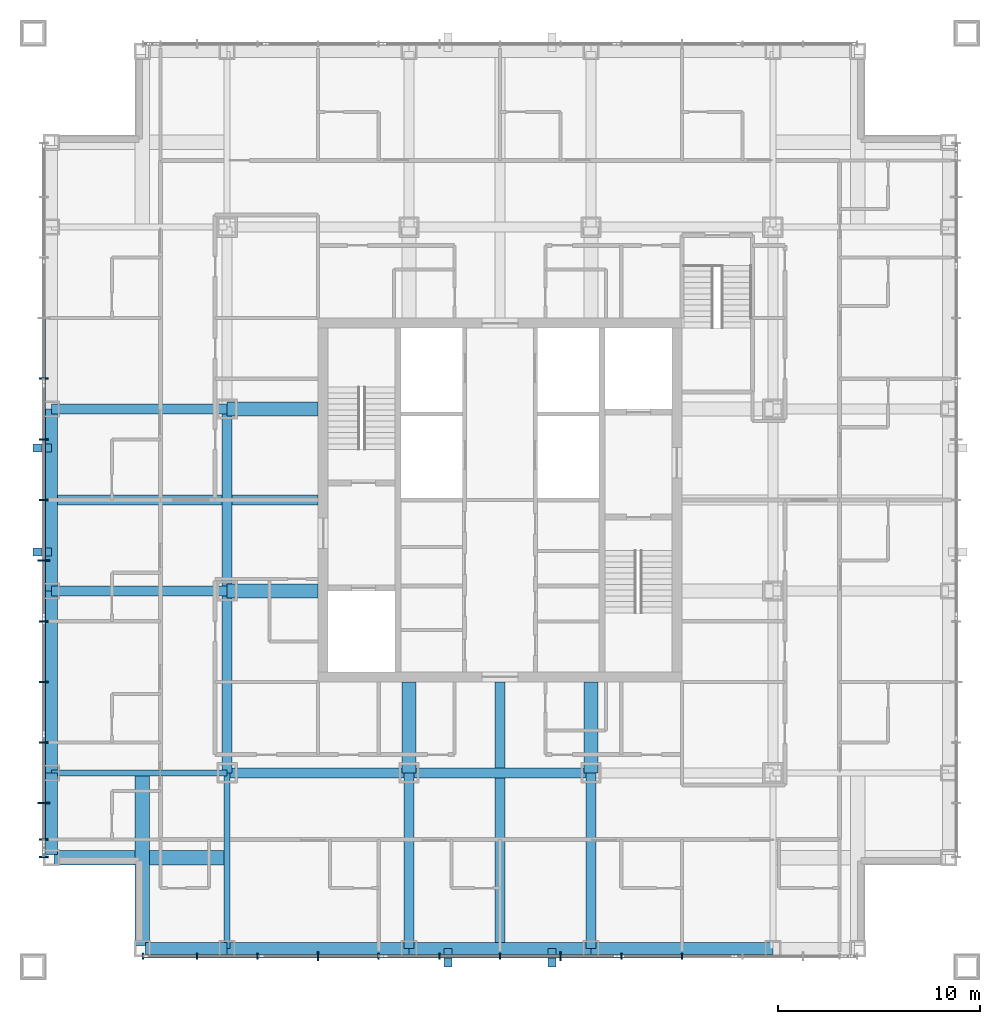
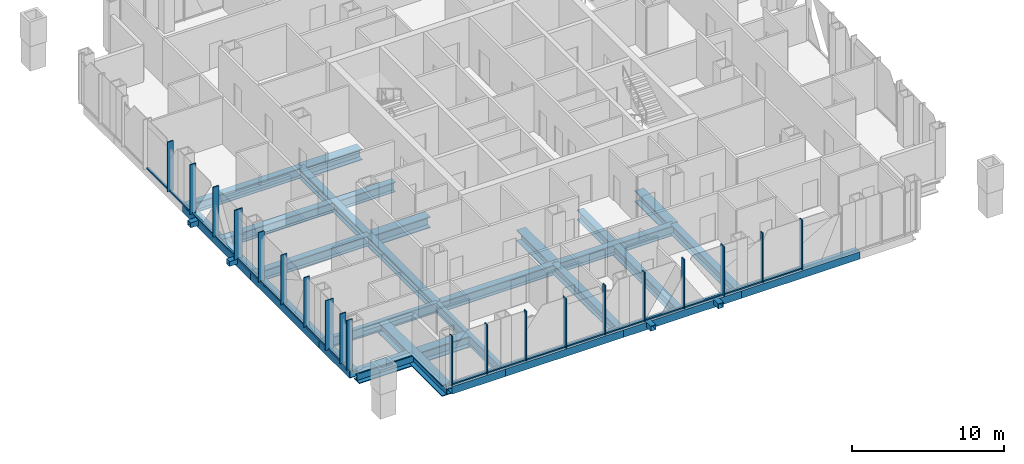
# One storey, part 2 of 25: 42 members, 25 beams, 2 elements without a shape of their own.
"""IFC4 building model written with IfcOpenShell, lengths in metres."""

from ifc_helpers import new_model, si_unit, direction, frame, origin, origin_2d, place, context, subcontext, project, spatial, rectangle, hollow_rectangle, i_section, extrude, material, layer, layer_set, material_profile, profile_set, type_object, element, aggregate, save


model = new_model("IFC4")

# Units and contexts
model_context = context("Model", 3, precision=1e-05, world=origin(), true_north=direction((0.0, 1.0)))
body_context = subcontext(model_context, "Body", "Model", "MODEL_VIEW")
ifc_project = project(units=[si_unit("LENGTHUNIT", "METRE"), si_unit("AREAUNIT", "SQUARE_METRE"), si_unit("VOLUMEUNIT", "CUBIC_METRE"), si_unit("PLANEANGLEUNIT", "RADIAN"), si_unit("MASSUNIT", "GRAM", prefix="KILO")], contexts=[model_context])

# Site, building, storey
site_placement = place(None, origin())
site = spatial("IfcSite", under=ifc_project, at=site_placement, CompositionType="ELEMENT")
building_placement = place(site_placement, origin())
building = spatial("IfcBuilding", under=site, at=building_placement, Name="Malebo Sky Hospital", CompositionType="ELEMENT")
storey_placement = place(building_placement, frame((0.0, 0.0, 241.0)))
storey = spatial("IfcBuildingStorey", under=building, at=storey_placement, Name="L58", CompositionType="ELEMENT", Elevation=241.0)

# Curtain wall, members
ifc_material_1 = material(Name="Anodised aluminium, natural silver", Category="aluminium")
ifc_layer_1 = layer(ifc_material_1, 0.25)
ifc_layer_set_1 = layer_set([ifc_layer_1], Name="WARD CURTAIN WALL EAST AND WEST")
curtain_wall_type_1 = type_object("IfcCurtainWallType", Name="WARD CURTAIN WALL EAST AND WEST", PredefinedType="NOTDEFINED", material=ifc_layer_set_1)
curtain_wall_1_placement = place(storey_placement, origin())
curtain_wall_1 = element("IfcCurtainWall", 1, at=curtain_wall_1_placement, inside=storey, type_object=curtain_wall_type_1, Name="EW curtain wall W", PredefinedType="NOTDEFINED")
ifc_material_profile_1 = material_profile(ifc_material_1, rectangle(XDim=0.14990234375, YDim=0.10009765625, at=origin_2d()), Name="ALUMINIUM TRANSOM 150x100")
ifc_profile_set_1 = profile_set([ifc_material_profile_1], Name="Anodised aluminium, natural silver")
member_type_1 = type_object("IfcMemberType", Name="ALUMINIUM TRANSOM 150x100", PredefinedType="USERDEFINED", material=ifc_profile_set_1)
member_1_placement = place(storey_placement, frame((37.425048828125, 45.237548828125, 0.050048828125), z_axis=(0.0, 1.0, 0.0), x_axis=(-1.0, 0.0, 0.0)))
member_1 = element("IfcMember", 2, at=member_1_placement, type_object=member_type_1, Name="Transom 2", ObjectType="TRANSOM", PredefinedType="USERDEFINED", context=body_context, shape_type="SweptSolid", body=[
    extrude(rectangle(XDim=0.14990234375, YDim=0.10009765625, at=origin_2d()), origin(), (0.0, 0.0, 1.0), 1.724853515625),
])
member_2_placement = place(storey_placement, frame((37.425048828125, 47.03759765625, 0.050048828125), z_axis=(0.0, 1.0, 0.0), x_axis=(-1.0, 0.0, 0.0)))
member_2 = element("IfcMember", 3, at=member_2_placement, type_object=member_type_1, Name="Transom 3", ObjectType="TRANSOM", PredefinedType="USERDEFINED", context=body_context, shape_type="SweptSolid", body=[
    extrude(rectangle(XDim=0.14990234375, YDim=0.10009765625, at=origin_2d()), origin(), (0.0, 0.0, 1.0), 2.9248046875),
])
member_3_placement = place(storey_placement, frame((37.425048828125, 50.03759765625, 0.050048828125), z_axis=(0.0, 1.0, 0.0), x_axis=(-1.0, 0.0, 0.0)))
member_3 = element("IfcMember", 4, at=member_3_placement, type_object=member_type_1, Name="Transom 4", ObjectType="TRANSOM", PredefinedType="USERDEFINED", context=body_context, shape_type="SweptSolid", body=[
    extrude(rectangle(XDim=0.14990234375, YDim=0.10009765625, at=origin_2d()), origin(), (0.0, 0.0, 1.0), 2.9248046875),
])
member_4_placement = place(storey_placement, frame((37.425048828125, 53.03759765625, 0.050048828125), z_axis=(0.0, 1.0, 0.0), x_axis=(-1.0, 0.0, 0.0)))
member_4 = element("IfcMember", 5, at=member_4_placement, type_object=member_type_1, Name="Transom 5", ObjectType="TRANSOM", PredefinedType="USERDEFINED", context=body_context, shape_type="SweptSolid", body=[
    extrude(rectangle(XDim=0.14990234375, YDim=0.10009765625, at=origin_2d()), origin(), (0.0, 0.0, 1.0), 2.9248046875),
])
member_5_placement = place(storey_placement, frame((37.425048828125, 56.03759765625, 0.050048828125), z_axis=(0.0, 1.0, 0.0), x_axis=(-1.0, 0.0, 0.0)))
member_5 = element("IfcMember", 6, at=member_5_placement, type_object=member_type_1, Name="Transom 6", ObjectType="TRANSOM", PredefinedType="USERDEFINED", context=body_context, shape_type="SweptSolid", body=[
    extrude(rectangle(XDim=0.14990234375, YDim=0.10009765625, at=origin_2d()), origin(), (0.0, 0.0, 1.0), 2.9248046875),
])
member_6_placement = place(storey_placement, frame((37.425048828125, 59.03759765625, 0.050048828125), z_axis=(0.0, 1.0, 0.0), x_axis=(-1.0, 0.0, 0.0)))
member_6 = element("IfcMember", 7, at=member_6_placement, type_object=member_type_1, Name="Transom 7", ObjectType="TRANSOM", PredefinedType="USERDEFINED", context=body_context, shape_type="SweptSolid", body=[
    extrude(rectangle(XDim=0.14990234375, YDim=0.10009765625, at=origin_2d()), origin(), (0.0, 0.0, 1.0), 2.9248046875),
])
member_7_placement = place(storey_placement, frame((37.425048828125, 62.03759765625, 0.050048828125), z_axis=(0.0, 1.0, 0.0), x_axis=(-1.0, 0.0, 0.0)))
member_7 = element("IfcMember", 8, at=member_7_placement, type_object=member_type_1, Name="Transom 8", ObjectType="TRANSOM", PredefinedType="USERDEFINED", context=body_context, shape_type="SweptSolid", body=[
    extrude(rectangle(XDim=0.14990234375, YDim=0.10009765625, at=origin_2d()), origin(), (0.0, 0.0, 1.0), 2.9248046875),
])
member_8_placement = place(storey_placement, frame((37.425048828125, 65.03759765625, 0.050048828125), z_axis=(0.0, 1.0, 0.0), x_axis=(-1.0, 0.0, 0.0)))
member_8 = element("IfcMember", 9, at=member_8_placement, type_object=member_type_1, Name="Transom 9", ObjectType="TRANSOM", PredefinedType="USERDEFINED", context=body_context, shape_type="SweptSolid", body=[
    extrude(rectangle(XDim=0.14990234375, YDim=0.10009765625, at=origin_2d()), origin(), (0.0, 0.0, 1.0), 2.9248046875),
])
member_9_placement = place(storey_placement, frame((37.425048828125, 68.03759765625, 0.050048828125), z_axis=(0.0, 1.0, 0.0), x_axis=(-1.0, 0.0, 0.0)))
member_9 = element("IfcMember", 10, at=member_9_placement, type_object=member_type_1, Name="Transom 10", ObjectType="TRANSOM", PredefinedType="USERDEFINED", context=body_context, shape_type="SweptSolid", body=[
    extrude(rectangle(XDim=0.14990234375, YDim=0.10009765625, at=origin_2d()), origin(), (0.0, 0.0, 1.0), 2.9248046875),
])

ifc_layer_2 = layer(ifc_material_1, 0.25)
ifc_layer_set_2 = layer_set([ifc_layer_2], Name="WARD CURTAIN WALL NORTH AND SOUTH")
curtain_wall_type_2 = type_object("IfcCurtainWallType", Name="WARD CURTAIN WALL NORTH AND SOUTH", PredefinedType="NOTDEFINED", material=ifc_layer_set_2)
curtain_wall_2_placement = place(storey_placement, origin())
curtain_wall_2 = element("IfcCurtainWall", 11, at=curtain_wall_2_placement, inside=storey, type_object=curtain_wall_type_2, Name="NS curtain wall S", PredefinedType="NOTDEFINED")
member_10_placement = place(storey_placement, frame((68.96240234375, 39.425048828125, 0.050048828125), z_axis=(-1.0, 0.0, 0.0), x_axis=(0.0, -1.0, 0.0)))
member_10 = element("IfcMember", 12, at=member_10_placement, type_object=member_type_1, Name="Transom 5", ObjectType="TRANSOM", PredefinedType="USERDEFINED", context=body_context, shape_type="SweptSolid", body=[
    extrude(rectangle(XDim=0.14990234375, YDim=0.10009765625, at=origin_2d()), origin(), (0.0, 0.0, 1.0), 2.9248046875),
])
member_11_placement = place(storey_placement, frame((65.96240234375, 39.425048828125, 0.050048828125), z_axis=(-1.0, 0.0, 0.0), x_axis=(0.0, -1.0, 0.0)))
member_11 = element("IfcMember", 13, at=member_11_placement, type_object=member_type_1, Name="Transom 6", ObjectType="TRANSOM", PredefinedType="USERDEFINED", context=body_context, shape_type="SweptSolid", body=[
    extrude(rectangle(XDim=0.14990234375, YDim=0.10009765625, at=origin_2d()), origin(), (0.0, 0.0, 1.0), 2.9248046875),
])
member_12_placement = place(storey_placement, frame((62.96240234375, 39.425048828125, 0.050048828125), z_axis=(-1.0, 0.0, 0.0), x_axis=(0.0, -1.0, 0.0)))
member_12 = element("IfcMember", 14, at=member_12_placement, type_object=member_type_1, Name="Transom 7", ObjectType="TRANSOM", PredefinedType="USERDEFINED", context=body_context, shape_type="SweptSolid", body=[
    extrude(rectangle(XDim=0.14990234375, YDim=0.10009765625, at=origin_2d()), origin(), (0.0, 0.0, 1.0), 2.9248046875),
])
member_13_placement = place(storey_placement, frame((59.96240234375, 39.425048828125, 0.050048828125), z_axis=(-1.0, 0.0, 0.0), x_axis=(0.0, -1.0, 0.0)))
member_13 = element("IfcMember", 15, at=member_13_placement, type_object=member_type_1, Name="Transom 8", ObjectType="TRANSOM", PredefinedType="USERDEFINED", context=body_context, shape_type="SweptSolid", body=[
    extrude(rectangle(XDim=0.14990234375, YDim=0.10009765625, at=origin_2d()), origin(), (0.0, 0.0, 1.0), 2.9248046875),
])
member_14_placement = place(storey_placement, frame((56.96240234375, 39.425048828125, 0.050048828125), z_axis=(-1.0, 0.0, 0.0), x_axis=(0.0, -1.0, 0.0)))
member_14 = element("IfcMember", 16, at=member_14_placement, type_object=member_type_1, Name="Transom 9", ObjectType="TRANSOM", PredefinedType="USERDEFINED", context=body_context, shape_type="SweptSolid", body=[
    extrude(rectangle(XDim=0.14990234375, YDim=0.10009765625, at=origin_2d()), origin(), (0.0, 0.0, 1.0), 2.9248046875),
])
member_15_placement = place(storey_placement, frame((53.96240234375, 39.425048828125, 0.050048828125), z_axis=(-1.0, 0.0, 0.0), x_axis=(0.0, -1.0, 0.0)))
member_15 = element("IfcMember", 17, at=member_15_placement, type_object=member_type_1, Name="Transom 10", ObjectType="TRANSOM", PredefinedType="USERDEFINED", context=body_context, shape_type="SweptSolid", body=[
    extrude(rectangle(XDim=0.14990234375, YDim=0.10009765625, at=origin_2d()), origin(), (0.0, 0.0, 1.0), 2.9248046875),
])
member_16_placement = place(storey_placement, frame((50.96240234375, 39.425048828125, 0.050048828125), z_axis=(-1.0, 0.0, 0.0), x_axis=(0.0, -1.0, 0.0)))
member_16 = element("IfcMember", 18, at=member_16_placement, type_object=member_type_1, Name="Transom 11", ObjectType="TRANSOM", PredefinedType="USERDEFINED", context=body_context, shape_type="SweptSolid", body=[
    extrude(rectangle(XDim=0.14990234375, YDim=0.10009765625, at=origin_2d()), origin(), (0.0, 0.0, 1.0), 2.9248046875),
])
member_17_placement = place(storey_placement, frame((47.96240234375, 39.425048828125, 0.050048828125), z_axis=(-1.0, 0.0, 0.0), x_axis=(0.0, -1.0, 0.0)))
member_17 = element("IfcMember", 19, at=member_17_placement, type_object=member_type_1, Name="Transom 12", ObjectType="TRANSOM", PredefinedType="USERDEFINED", context=body_context, shape_type="SweptSolid", body=[
    extrude(rectangle(XDim=0.14990234375, YDim=0.10009765625, at=origin_2d()), origin(), (0.0, 0.0, 1.0), 2.9248046875),
])
member_18_placement = place(storey_placement, frame((44.96240234375, 39.425048828125, 0.050048828125), z_axis=(-1.0, 0.0, 0.0), x_axis=(0.0, -1.0, 0.0)))
member_18 = element("IfcMember", 20, at=member_18_placement, type_object=member_type_1, Name="Transom 13", ObjectType="TRANSOM", PredefinedType="USERDEFINED", context=body_context, shape_type="SweptSolid", body=[
    extrude(rectangle(XDim=0.14990234375, YDim=0.10009765625, at=origin_2d()), origin(), (0.0, 0.0, 1.0), 2.58740234375),
])

# Members
ifc_material_2 = material(Name="Steel S355", Category="steel")
ifc_material_profile_2 = material_profile(ifc_material_2, hollow_rectangle(XDim=0.39990234375, YDim=0.39990234375, WallThickness=0.02001953125, at=origin_2d()), Name="SHS 400x20")
ifc_profile_set_2 = profile_set([ifc_material_profile_2], Name="Steel S355")
member_type_2 = type_object("IfcMemberType", Name="BRACE STRUT SHS 400x20", PredefinedType="STRUT", material=ifc_profile_set_2)
for number, where, z_axis, x_axis, name in (
    (21, (57.433349609375, 38.89990234375, -0.39990234375), (0.0, 1.0, 0.0), (-1.0, 0.0, 0.0), "Brace strut CS1 L58"),
    (22, (62.566650390625, 38.89990234375, -0.39990234375), (0.0, 1.0, 0.0), (-1.0, 0.0, 0.0), "Brace strut CS2 L58"),
    (23, (36.89990234375, 64.566650390625, -0.39990234375), (1.0, 0.0, 0.0), (0.0, 1.0, 0.0), "Brace strut CW1 L58"),
    (24, (36.89990234375, 59.433349609375, -0.39990234375), (1.0, 0.0, 0.0), (0.0, 1.0, 0.0), "Brace strut CW2 L58"),
):
    element("IfcMember", number, at=place(storey_placement, frame(where, z_axis=z_axis, x_axis=x_axis)), inside=storey, type_object=member_type_2, Name=name, PredefinedType="STRUT", context=body_context, shape_type="SweptSolid", body=[
        extrude(hollow_rectangle(XDim=0.39990234375, YDim=0.39990234375, WallThickness=0.02001953125, at=origin_2d()), origin(), (0.0, 0.0, 1.0), 0.900146484375),
    ])

# Member
ifc_material_profile_3 = material_profile(ifc_material_1, rectangle(XDim=0.074951171875, YDim=0.300048828125, at=origin_2d()), Name="CW1 ALUMINIUM FIN MULLION 75x300")
ifc_profile_set_3 = profile_set([ifc_material_profile_3], Name="Anodised aluminium, natural silver")
member_type_3 = type_object("IfcMemberType", Name="CW1 ALUMINIUM FIN MULLION 75x300", PredefinedType="MULLION", material=ifc_profile_set_3)
member_19_placement = place(storey_placement, frame((69.0, 39.425048828125, 0.0), z_axis=(0.0, 0.0, 1.0), x_axis=(-1.0, 0.0, 0.0)))
member_19 = element("IfcMember", 25, at=member_19_placement, type_object=member_type_3, Name="Fin mullion 5", PredefinedType="MULLION", context=body_context, shape_type="SweptSolid", body=[
    extrude(rectangle(XDim=0.074951171875, YDim=0.300048828125, at=origin_2d()), origin(), (0.0, 0.0, 1.0), 4.0),
])

member_20_placement = place(storey_placement, frame((66.0, 39.425048828125, 0.0), z_axis=(0.0, 0.0, 1.0), x_axis=(-1.0, 0.0, 0.0)))
member_20 = element("IfcMember", 26, at=member_20_placement, type_object=member_type_3, Name="Fin mullion 6", PredefinedType="MULLION", context=body_context, shape_type="SweptSolid", body=[
    extrude(rectangle(XDim=0.074951171875, YDim=0.300048828125, at=origin_2d()), origin(), (0.0, 0.0, 1.0), 4.0),
])

member_21_placement = place(storey_placement, frame((60.0, 39.425048828125, 0.0), z_axis=(0.0, 0.0, 1.0), x_axis=(-1.0, 0.0, 0.0)))
member_21 = element("IfcMember", 27, at=member_21_placement, type_object=member_type_3, Name="Fin mullion 8", PredefinedType="MULLION", context=body_context, shape_type="SweptSolid", body=[
    extrude(rectangle(XDim=0.074951171875, YDim=0.300048828125, at=origin_2d()), origin(), (0.0, 0.0, 1.0), 4.0),
])

member_22_placement = place(storey_placement, frame((57.0, 39.425048828125, 0.0), z_axis=(0.0, 0.0, 1.0), x_axis=(-1.0, 0.0, 0.0)))
member_22 = element("IfcMember", 28, at=member_22_placement, type_object=member_type_3, Name="Fin mullion 9", PredefinedType="MULLION", context=body_context, shape_type="SweptSolid", body=[
    extrude(rectangle(XDim=0.074951171875, YDim=0.300048828125, at=origin_2d()), origin(), (0.0, 0.0, 1.0), 4.0),
])

member_23_placement = place(storey_placement, frame((54.0, 39.425048828125, 0.0), z_axis=(0.0, 0.0, 1.0), x_axis=(-1.0, 0.0, 0.0)))
member_23 = element("IfcMember", 29, at=member_23_placement, type_object=member_type_3, Name="Fin mullion 10", PredefinedType="MULLION", context=body_context, shape_type="SweptSolid", body=[
    extrude(rectangle(XDim=0.074951171875, YDim=0.300048828125, at=origin_2d()), origin(), (0.0, 0.0, 1.0), 4.0),
])

member_24_placement = place(storey_placement, frame((48.0, 39.425048828125, 0.0), z_axis=(0.0, 0.0, 1.0), x_axis=(-1.0, 0.0, 0.0)))
member_24 = element("IfcMember", 30, at=member_24_placement, type_object=member_type_3, Name="Fin mullion 12", PredefinedType="MULLION", context=body_context, shape_type="SweptSolid", body=[
    extrude(rectangle(XDim=0.074951171875, YDim=0.300048828125, at=origin_2d()), origin(), (0.0, 0.0, 1.0), 4.0),
])

member_25_placement = place(storey_placement, frame((45.0, 39.425048828125, 0.0), z_axis=(0.0, 0.0, 1.0), x_axis=(-1.0, 0.0, 0.0)))
member_25 = element("IfcMember", 31, at=member_25_placement, type_object=member_type_3, Name="Fin mullion 13", PredefinedType="MULLION", context=body_context, shape_type="SweptSolid", body=[
    extrude(rectangle(XDim=0.074951171875, YDim=0.300048828125, at=origin_2d()), origin(), (0.0, 0.0, 1.0), 4.0),
])

member_26_placement = place(storey_placement, frame((42.33740234375, 39.425048828125, 0.0), z_axis=(0.0, 0.0, 1.0), x_axis=(-1.0, 0.0, 0.0)))
member_26 = element("IfcMember", 32, at=member_26_placement, type_object=member_type_3, Name="Fin mullion 14", PredefinedType="MULLION", context=body_context, shape_type="SweptSolid", body=[
    extrude(rectangle(XDim=0.074951171875, YDim=0.300048828125, at=origin_2d()), origin(), (0.0, 0.0, 1.0), 4.0),
])

ifc_material_profile_4 = material_profile(ifc_material_1, rectangle(XDim=0.074951171875, YDim=0.449951171875, at=origin_2d()), Name="CW1 ALUMINIUM FIN MULLION 75x450")
ifc_profile_set_4 = profile_set([ifc_material_profile_4], Name="Anodised aluminium, natural silver")
member_type_4 = type_object("IfcMemberType", Name="CW1 ALUMINIUM FIN MULLION 75x450", PredefinedType="MULLION", material=ifc_profile_set_4)
member_27_placement = place(storey_placement, frame((63.0, 39.425048828125, 0.0), z_axis=(0.0, 0.0, 1.0), x_axis=(-1.0, 0.0, 0.0)))
member_27 = element("IfcMember", 33, at=member_27_placement, type_object=member_type_4, Name="Fin mullion 7", PredefinedType="MULLION", context=body_context, shape_type="SweptSolid", body=[
    extrude(rectangle(XDim=0.074951171875, YDim=0.449951171875, at=origin_2d()), origin(), (0.0, 0.0, 1.0), 4.0),
])

member_28_placement = place(storey_placement, frame((51.0, 39.425048828125, 0.0), z_axis=(0.0, 0.0, 1.0), x_axis=(-1.0, 0.0, 0.0)))
member_28 = element("IfcMember", 34, at=member_28_placement, type_object=member_type_4, Name="Fin mullion 11", PredefinedType="MULLION", context=body_context, shape_type="SweptSolid", body=[
    extrude(rectangle(XDim=0.074951171875, YDim=0.449951171875, at=origin_2d()), origin(), (0.0, 0.0, 1.0), 4.0),
])

aggregate(curtain_wall_2, [member_19, member_20, member_27, member_21, member_22, member_23, member_28, member_24, member_25, member_26, member_10, member_11, member_12, member_13, member_14, member_15, member_16, member_17, member_18])

ifc_material_profile_5 = material_profile(ifc_material_1, rectangle(XDim=0.074951171875, YDim=0.449951171875, at=origin_2d()), Name="CW2 ALUMINIUM FIN MULLION 75x450")
ifc_profile_set_5 = profile_set([ifc_material_profile_5], Name="Anodised aluminium, natural silver")
member_type_5 = type_object("IfcMemberType", Name="CW2 ALUMINIUM FIN MULLION 75x450", PredefinedType="MULLION", material=ifc_profile_set_5)
member_29_placement = place(storey_placement, frame((37.425048828125, 44.33740234375, 0.0), z_axis=(0.0, 0.0, 1.0), x_axis=(0.0, 1.0, 0.0)))
member_29 = element("IfcMember", 35, at=member_29_placement, type_object=member_type_5, Name="Fin mullion 1", PredefinedType="MULLION", context=body_context, shape_type="SweptSolid", body=[
    extrude(rectangle(XDim=0.074951171875, YDim=0.449951171875, at=origin_2d()), origin(), (0.0, 0.0, 1.0), 4.0),
])

member_30_placement = place(storey_placement, frame((37.425048828125, 45.199951171875, 0.0), z_axis=(0.0, 0.0, 1.0), x_axis=(0.0, 1.0, 0.0)))
member_30 = element("IfcMember", 36, at=member_30_placement, type_object=member_type_5, Name="Fin mullion 2", PredefinedType="MULLION", context=body_context, shape_type="SweptSolid", body=[
    extrude(rectangle(XDim=0.074951171875, YDim=0.449951171875, at=origin_2d()), origin(), (0.0, 0.0, 1.0), 4.0),
])

member_31_placement = place(storey_placement, frame((37.425048828125, 50.0, 0.0), z_axis=(0.0, 0.0, 1.0), x_axis=(0.0, 1.0, 0.0)))
member_31 = element("IfcMember", 37, at=member_31_placement, type_object=member_type_5, Name="Fin mullion 4", PredefinedType="MULLION", context=body_context, shape_type="SweptSolid", body=[
    extrude(rectangle(XDim=0.074951171875, YDim=0.449951171875, at=origin_2d()), origin(), (0.0, 0.0, 1.0), 4.0),
])

member_32_placement = place(storey_placement, frame((37.425048828125, 53.0, 0.0), z_axis=(0.0, 0.0, 1.0), x_axis=(0.0, 1.0, 0.0)))
member_32 = element("IfcMember", 38, at=member_32_placement, type_object=member_type_5, Name="Fin mullion 5", PredefinedType="MULLION", context=body_context, shape_type="SweptSolid", body=[
    extrude(rectangle(XDim=0.074951171875, YDim=0.449951171875, at=origin_2d()), origin(), (0.0, 0.0, 1.0), 4.0),
])

member_33_placement = place(storey_placement, frame((37.425048828125, 56.0, 0.0), z_axis=(0.0, 0.0, 1.0), x_axis=(0.0, 1.0, 0.0)))
member_33 = element("IfcMember", 39, at=member_33_placement, type_object=member_type_5, Name="Fin mullion 6", PredefinedType="MULLION", context=body_context, shape_type="SweptSolid", body=[
    extrude(rectangle(XDim=0.074951171875, YDim=0.449951171875, at=origin_2d()), origin(), (0.0, 0.0, 1.0), 4.0),
])

member_34_placement = place(storey_placement, frame((37.425048828125, 62.0, 0.0), z_axis=(0.0, 0.0, 1.0), x_axis=(0.0, 1.0, 0.0)))
member_34 = element("IfcMember", 40, at=member_34_placement, type_object=member_type_5, Name="Fin mullion 8", PredefinedType="MULLION", context=body_context, shape_type="SweptSolid", body=[
    extrude(rectangle(XDim=0.074951171875, YDim=0.449951171875, at=origin_2d()), origin(), (0.0, 0.0, 1.0), 4.0),
])

member_35_placement = place(storey_placement, frame((37.425048828125, 65.0, 0.0), z_axis=(0.0, 0.0, 1.0), x_axis=(0.0, 1.0, 0.0)))
member_35 = element("IfcMember", 41, at=member_35_placement, type_object=member_type_5, Name="Fin mullion 9", PredefinedType="MULLION", context=body_context, shape_type="SweptSolid", body=[
    extrude(rectangle(XDim=0.074951171875, YDim=0.449951171875, at=origin_2d()), origin(), (0.0, 0.0, 1.0), 4.0),
])

member_36_placement = place(storey_placement, frame((37.425048828125, 68.0, 0.0), z_axis=(0.0, 0.0, 1.0), x_axis=(0.0, 1.0, 0.0)))
member_36 = element("IfcMember", 42, at=member_36_placement, type_object=member_type_5, Name="Fin mullion 10", PredefinedType="MULLION", context=body_context, shape_type="SweptSolid", body=[
    extrude(rectangle(XDim=0.074951171875, YDim=0.449951171875, at=origin_2d()), origin(), (0.0, 0.0, 1.0), 4.0),
])

ifc_material_profile_6 = material_profile(ifc_material_1, rectangle(XDim=0.074951171875, YDim=0.60009765625, at=origin_2d()), Name="CW2 ALUMINIUM FIN MULLION 75x600")
ifc_profile_set_6 = profile_set([ifc_material_profile_6], Name="Anodised aluminium, natural silver")
member_type_6 = type_object("IfcMemberType", Name="CW2 ALUMINIUM FIN MULLION 75x600", PredefinedType="MULLION", material=ifc_profile_set_6)
member_37_placement = place(storey_placement, frame((37.425048828125, 47.0, 0.0), z_axis=(0.0, 0.0, 1.0), x_axis=(0.0, 1.0, 0.0)))
member_37 = element("IfcMember", 43, at=member_37_placement, type_object=member_type_6, Name="Fin mullion 3", PredefinedType="MULLION", context=body_context, shape_type="SweptSolid", body=[
    extrude(rectangle(XDim=0.074951171875, YDim=0.60009765625, at=origin_2d()), origin(), (0.0, 0.0, 1.0), 4.0),
])

member_38_placement = place(storey_placement, frame((37.425048828125, 59.0, 0.0), z_axis=(0.0, 0.0, 1.0), x_axis=(0.0, 1.0, 0.0)))
member_38 = element("IfcMember", 44, at=member_38_placement, type_object=member_type_6, Name="Fin mullion 7", PredefinedType="MULLION", context=body_context, shape_type="SweptSolid", body=[
    extrude(rectangle(XDim=0.074951171875, YDim=0.60009765625, at=origin_2d()), origin(), (0.0, 0.0, 1.0), 4.0),
])

aggregate(curtain_wall_1, [member_29, member_30, member_37, member_31, member_32, member_33, member_38, member_34, member_35, member_36, member_1, member_2, member_3, member_4, member_5, member_6, member_7, member_8, member_9])

# Beams
ifc_material_3 = material(Name="Steel S460", Category="steel")
ifc_material_profile_7 = material_profile(ifc_material_3, hollow_rectangle(XDim=0.60009765625, YDim=0.60009765625, WallThickness=0.0400390625, at=origin_2d()), Name="BOX 600x600x40")
ifc_profile_set_7 = profile_set([ifc_material_profile_7], Name="Steel S460")
beam_type_1 = type_object("IfcBeamType", Name="EDGE BEAM BOX 600x600x40", PredefinedType="BEAM", material=ifc_profile_set_7)
beam_1_placement = place(storey_placement, frame((37.800048828125, 44.449951171875, -0.550048828125), z_axis=(0.0, 1.0, 0.0), x_axis=(-1.0, 0.0, 0.0)))
element("IfcBeam", 45, at=beam_1_placement, inside=storey, type_object=beam_type_1, Name="Beam 000 L58", PredefinedType="BEAM", context=body_context, shape_type="SweptSolid", body=[
    extrude(hollow_rectangle(XDim=0.60009765625, YDim=0.60009765625, WallThickness=0.0400390625, at=origin_2d()), origin(), (0.0, 0.0, 1.0), 4.050048828125),
])
for number, where, z_axis, x_axis, name in (
    (46, (37.800048828125, 48.5, -0.550048828125), (0.0, 1.0, 0.0), (-1.0, 0.0, 0.0), "Beam 001 L58"),
    (47, (37.800048828125, 57.5, -0.550048828125), (0.0, 1.0, 0.0), (-1.0, 0.0, 0.0), "Beam 002 L58"),
):
    element("IfcBeam", number, at=place(storey_placement, frame(where, z_axis=z_axis, x_axis=x_axis)), inside=storey, type_object=beam_type_1, Name=name, PredefinedType="BEAM", context=body_context, shape_type="SweptSolid", body=[
        extrude(hollow_rectangle(XDim=0.60009765625, YDim=0.60009765625, WallThickness=0.0400390625, at=origin_2d()), origin(), (0.0, 0.0, 1.0), 9.0),
    ])
beam_2_placement = place(storey_placement, frame((42.449951171875, 39.800048828125, -0.550048828125), z_axis=(1.0, 0.0, 0.0), x_axis=(0.0, 1.0, 0.0)))
element("IfcBeam", 48, at=beam_2_placement, inside=storey, type_object=beam_type_1, Name="Beam 034 L58", PredefinedType="BEAM", context=body_context, shape_type="SweptSolid", body=[
    extrude(hollow_rectangle(XDim=0.60009765625, YDim=0.60009765625, WallThickness=0.0400390625, at=origin_2d()), origin(), (0.0, 0.0, 1.0), 4.050048828125),
])
for number, where, z_axis, x_axis, name in (
    (49, (46.5, 39.800048828125, -0.550048828125), (1.0, 0.0, 0.0), (0.0, 1.0, 0.0), "Beam 035 L58"),
    (50, (55.5, 39.800048828125, -0.550048828125), (1.0, 0.0, 0.0), (0.0, 1.0, 0.0), "Beam 036 L58"),
    (51, (64.5, 39.800048828125, -0.550048828125), (1.0, 0.0, 0.0), (0.0, 1.0, 0.0), "Beam 037 L58"),
):
    element("IfcBeam", number, at=place(storey_placement, frame(where, z_axis=z_axis, x_axis=x_axis)), inside=storey, type_object=beam_type_1, Name=name, PredefinedType="BEAM", context=body_context, shape_type="SweptSolid", body=[
        extrude(hollow_rectangle(XDim=0.60009765625, YDim=0.60009765625, WallThickness=0.0400390625, at=origin_2d()), origin(), (0.0, 0.0, 1.0), 9.0),
    ])
ifc_material_profile_8 = material_profile(ifc_material_2, i_section(OverallWidth=0.5, OverallDepth=0.800048828125, WebThickness=0.030029296875, FlangeThickness=0.050048828125, at=origin_2d()), Name="PG 800x500x30x50")
ifc_profile_set_8 = profile_set([ifc_material_profile_8], Name="Steel S355")
beam_type_2 = type_object("IfcBeamType", Name="FLOOR BEAM PG 800x500x30x50", PredefinedType="BEAM", material=ifc_profile_set_8)
beam_3_placement = place(storey_placement, frame((46.5, 48.5, -0.64990234375), z_axis=(0.0, 1.0, 0.0), x_axis=(-1.0, 0.0, 0.0)))
element("IfcBeam", 52, at=beam_3_placement, inside=storey, type_object=beam_type_2, Name="Beam 008 L58", PredefinedType="BEAM", context=body_context, shape_type="SweptSolid", body=[
    extrude(i_section(OverallWidth=0.5, OverallDepth=0.800048828125, WebThickness=0.030029296875, FlangeThickness=0.050048828125, at=origin_2d()), origin(), (0.0, 0.0, 1.0), 9.0),
])
beam_4_placement = place(storey_placement, frame((55.5, 39.800048828125, -0.64990234375), z_axis=(0.0, 1.0, 0.0), x_axis=(-1.0, 0.0, 0.0)))
element("IfcBeam", 53, at=beam_4_placement, inside=storey, type_object=beam_type_2, Name="Beam 012 L58", PredefinedType="BEAM", context=body_context, shape_type="SweptSolid", body=[
    extrude(i_section(OverallWidth=0.5, OverallDepth=0.800048828125, WebThickness=0.030029296875, FlangeThickness=0.050048828125, at=origin_2d()), origin(), (0.0, 0.0, 1.0), 8.699951171875),
])
beam_5_placement = place(storey_placement, frame((60.0, 39.800048828125, -0.64990234375), z_axis=(0.0, 1.0, 0.0), x_axis=(-1.0, 0.0, 0.0)))
element("IfcBeam", 54, at=beam_5_placement, inside=storey, type_object=beam_type_2, Name="Beam 016 L58", PredefinedType="BEAM", context=body_context, shape_type="SweptSolid", body=[
    extrude(i_section(OverallWidth=0.5, OverallDepth=0.800048828125, WebThickness=0.030029296875, FlangeThickness=0.050048828125, at=origin_2d()), origin(), (0.0, 0.0, 1.0), 13.199951171875),
])
beam_6_placement = place(storey_placement, frame((64.5, 39.800048828125, -0.64990234375), z_axis=(0.0, 1.0, 0.0), x_axis=(-1.0, 0.0, 0.0)))
element("IfcBeam", 55, at=beam_6_placement, inside=storey, type_object=beam_type_2, Name="Beam 018 L58", PredefinedType="BEAM", context=body_context, shape_type="SweptSolid", body=[
    extrude(i_section(OverallWidth=0.5, OverallDepth=0.800048828125, WebThickness=0.030029296875, FlangeThickness=0.050048828125, at=origin_2d()), origin(), (0.0, 0.0, 1.0), 8.699951171875),
])
beam_7_placement = place(storey_placement, frame((46.5, 48.5, -0.64990234375), z_axis=(1.0, 0.0, 0.0), x_axis=(0.0, 1.0, 0.0)))
element("IfcBeam", 56, at=beam_7_placement, inside=storey, type_object=beam_type_2, Name="Beam 042 L58", PredefinedType="BEAM", context=body_context, shape_type="SweptSolid", body=[
    extrude(i_section(OverallWidth=0.5, OverallDepth=0.800048828125, WebThickness=0.030029296875, FlangeThickness=0.050048828125, at=origin_2d()), origin(), (0.0, 0.0, 1.0), 9.0),
])
beam_8_placement = place(storey_placement, frame((37.800048828125, 57.5, -0.64990234375), z_axis=(1.0, 0.0, 0.0), x_axis=(0.0, 1.0, 0.0)))
element("IfcBeam", 57, at=beam_8_placement, inside=storey, type_object=beam_type_2, Name="Beam 046 L58", PredefinedType="BEAM", context=body_context, shape_type="SweptSolid", body=[
    extrude(i_section(OverallWidth=0.5, OverallDepth=0.800048828125, WebThickness=0.030029296875, FlangeThickness=0.050048828125, at=origin_2d()), origin(), (0.0, 0.0, 1.0), 8.699951171875),
])
beam_9_placement = place(storey_placement, frame((37.800048828125, 62.0, -0.64990234375), z_axis=(1.0, 0.0, 0.0), x_axis=(0.0, 1.0, 0.0)))
element("IfcBeam", 58, at=beam_9_placement, inside=storey, type_object=beam_type_2, Name="Beam 050 L58", PredefinedType="BEAM", context=body_context, shape_type="SweptSolid", body=[
    extrude(i_section(OverallWidth=0.5, OverallDepth=0.800048828125, WebThickness=0.030029296875, FlangeThickness=0.050048828125, at=origin_2d()), origin(), (0.0, 0.0, 1.0), 13.199951171875),
])
beam_10_placement = place(storey_placement, frame((37.800048828125, 66.5, -0.64990234375), z_axis=(1.0, 0.0, 0.0), x_axis=(0.0, 1.0, 0.0)))
element("IfcBeam", 59, at=beam_10_placement, inside=storey, type_object=beam_type_2, Name="Beam 052 L58", PredefinedType="BEAM", context=body_context, shape_type="SweptSolid", body=[
    extrude(i_section(OverallWidth=0.5, OverallDepth=0.800048828125, WebThickness=0.030029296875, FlangeThickness=0.050048828125, at=origin_2d()), origin(), (0.0, 0.0, 1.0), 8.699951171875),
])
ifc_material_profile_9 = material_profile(ifc_material_2, i_section(OverallWidth=0.699951171875, OverallDepth=0.89990234375, WebThickness=0.0400390625, FlangeThickness=0.070068359375, at=origin_2d()), Name="PG 900x700x40x70")
ifc_profile_set_9 = profile_set([ifc_material_profile_9], Name="Steel S355")
beam_type_3 = type_object("IfcBeamType", Name="FLOOR BEAM PG 900x700x40x70", PredefinedType="BEAM", material=ifc_profile_set_9)
beam_11_placement = place(storey_placement, frame((42.300048828125, 39.949951171875, -0.699951171875), z_axis=(0.0, 1.0, 0.0), x_axis=(-1.0, 0.0, 0.0)))
element("IfcBeam", 60, at=beam_11_placement, inside=storey, type_object=beam_type_3, Name="Beam 005 L58", PredefinedType="BEAM", context=body_context, shape_type="SweptSolid", body=[
    extrude(i_section(OverallWidth=0.699951171875, OverallDepth=0.89990234375, WebThickness=0.0400390625, FlangeThickness=0.070068359375, at=origin_2d()), origin(), (0.0, 0.0, 1.0), 8.550048828125),
])
for number, where, z_axis, x_axis, name in (
    (61, (55.5, 48.5, -0.699951171875), (0.0, 1.0, 0.0), (-1.0, 0.0, 0.0), "Beam 013 L58"),
    (62, (64.5, 48.5, -0.699951171875), (0.0, 1.0, 0.0), (-1.0, 0.0, 0.0), "Beam 019 L58"),
):
    element("IfcBeam", number, at=place(storey_placement, frame(where, z_axis=z_axis, x_axis=x_axis)), inside=storey, type_object=beam_type_3, Name=name, PredefinedType="BEAM", context=body_context, shape_type="SweptSolid", body=[
        extrude(i_section(OverallWidth=0.699951171875, OverallDepth=0.89990234375, WebThickness=0.0400390625, FlangeThickness=0.070068359375, at=origin_2d()), origin(), (0.0, 0.0, 1.0), 4.5),
    ])
beam_12_placement = place(storey_placement, frame((37.949951171875, 44.300048828125, -0.699951171875), z_axis=(1.0, 0.0, 0.0), x_axis=(0.0, 1.0, 0.0)))
element("IfcBeam", 63, at=beam_12_placement, inside=storey, type_object=beam_type_3, Name="Beam 039 L58", PredefinedType="BEAM", context=body_context, shape_type="SweptSolid", body=[
    extrude(i_section(OverallWidth=0.699951171875, OverallDepth=0.89990234375, WebThickness=0.0400390625, FlangeThickness=0.070068359375, at=origin_2d()), origin(), (0.0, 0.0, 1.0), 8.550048828125),
])
for number, where, z_axis, x_axis, name in (
    (64, (46.5, 57.5, -0.699951171875), (1.0, 0.0, 0.0), (0.0, 1.0, 0.0), "Beam 047 L58"),
    (65, (46.5, 66.5, -0.699951171875), (1.0, 0.0, 0.0), (0.0, 1.0, 0.0), "Beam 053 L58"),
):
    element("IfcBeam", number, at=place(storey_placement, frame(where, z_axis=z_axis, x_axis=x_axis)), inside=storey, type_object=beam_type_3, Name=name, PredefinedType="BEAM", context=body_context, shape_type="SweptSolid", body=[
        extrude(i_section(OverallWidth=0.699951171875, OverallDepth=0.89990234375, WebThickness=0.0400390625, FlangeThickness=0.070068359375, at=origin_2d()), origin(), (0.0, 0.0, 1.0), 4.5),
    ])
ifc_material_profile_10 = material_profile(ifc_material_2, i_section(OverallWidth=0.300048828125, OverallDepth=0.800048828125, WebThickness=0.017578125, FlangeThickness=0.032958984375, FilletRadius=0.030029296875, at=origin_2d()), Name="HEB 800")
ifc_profile_set_10 = profile_set([ifc_material_profile_10], Name="Steel S355")
beam_type_4 = type_object("IfcBeamType", Name="FLOOR GIRDER HEB 800", PredefinedType="BEAM", material=ifc_profile_set_10)
for number, where, z_axis, x_axis, name in (
    (66, (46.5, 39.800048828125, -0.64990234375), (0.0, 1.0, 0.0), (-1.0, 0.0, 0.0), "Beam 007 L58"),
    (67, (37.800048828125, 48.5, -0.64990234375), (1.0, 0.0, 0.0), (0.0, 1.0, 0.0), "Beam 041 L58"),
):
    element("IfcBeam", number, at=place(storey_placement, frame(where, z_axis=z_axis, x_axis=x_axis)), inside=storey, type_object=beam_type_4, Name=name, PredefinedType="BEAM", context=body_context, shape_type="SweptSolid", body=[
        extrude(i_section(OverallWidth=0.300048828125, OverallDepth=0.800048828125, WebThickness=0.017578125, FlangeThickness=0.032958984375, FilletRadius=0.030029296875, at=origin_2d()), origin(), (0.0, 0.0, 1.0), 8.699951171875),
    ])
ifc_material_profile_11 = material_profile(ifc_material_2, i_section(OverallWidth=0.5, OverallDepth=0.800048828125, WebThickness=0.030029296875, FlangeThickness=0.050048828125, at=origin_2d()), Name="PG 800x500x30x50")
ifc_profile_set_11 = profile_set([ifc_material_profile_11], Name="Steel S355")
beam_type_5 = type_object("IfcBeamType", Name="RING GIRDER PG 800x500x30x50", PredefinedType="BEAM", material=ifc_profile_set_11)
for number, where, z_axis, x_axis, name in (
    (68, (46.5, 57.5, -0.64990234375), (0.0, 1.0, 0.0), (-1.0, 0.0, 0.0), "Beam 009 L58"),
    (69, (55.5, 48.5, -0.64990234375), (1.0, 0.0, 0.0), (0.0, 1.0, 0.0), "Beam 043 L58"),
):
    element("IfcBeam", number, at=place(storey_placement, frame(where, z_axis=z_axis, x_axis=x_axis)), inside=storey, type_object=beam_type_5, Name=name, PredefinedType="BEAM", context=body_context, shape_type="SweptSolid", body=[
        extrude(i_section(OverallWidth=0.5, OverallDepth=0.800048828125, WebThickness=0.030029296875, FlangeThickness=0.050048828125, at=origin_2d()), origin(), (0.0, 0.0, 1.0), 9.0),
    ])

save(model, "model.ifc")
